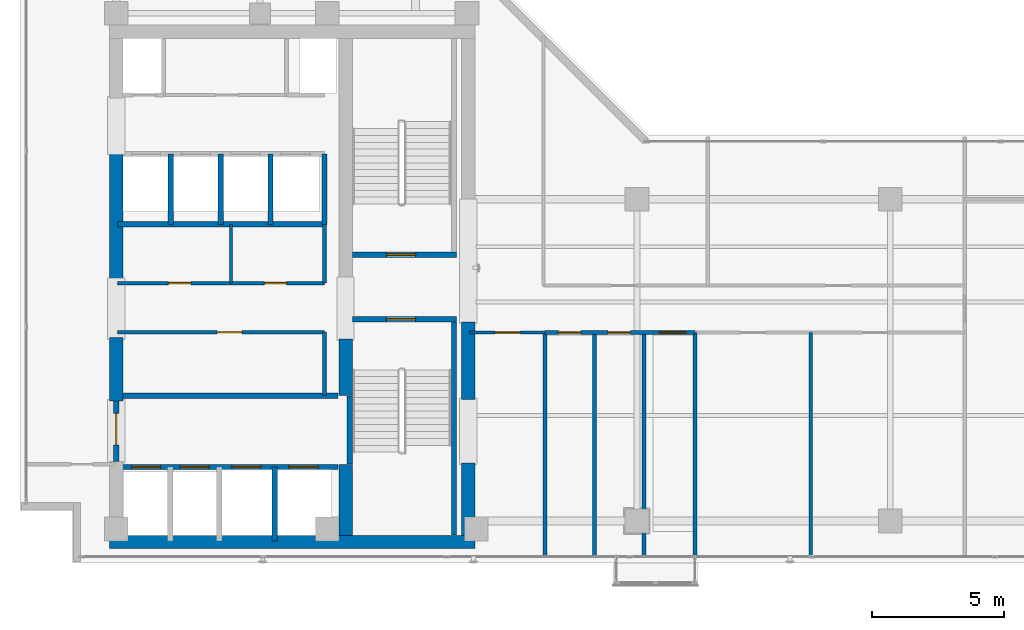
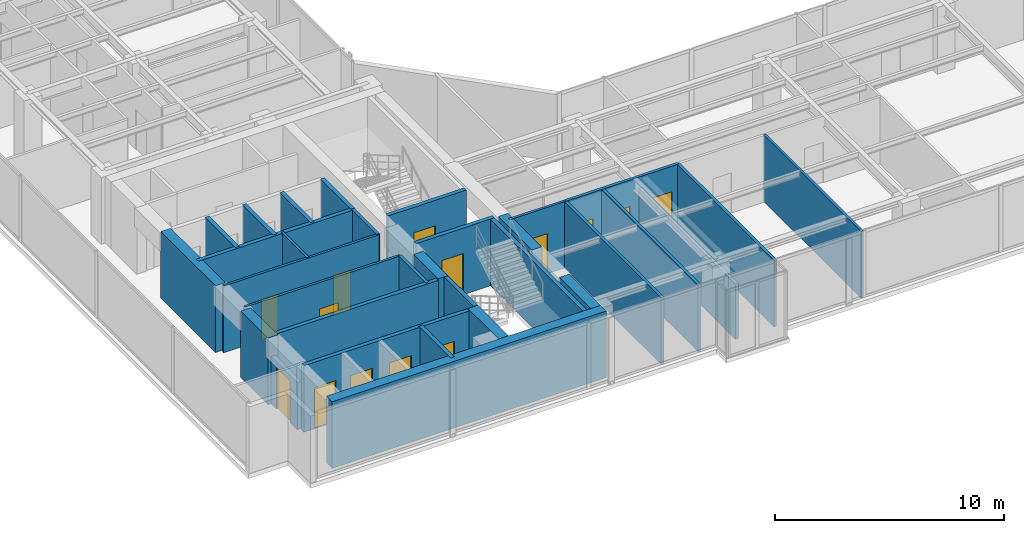
# One storey, part 17 of 22: 32 walls, 14 doors, 14 openings.
"""IFC4 building model written with IfcOpenShell, lengths in metres."""

from ifc_helpers import new_model, si_unit, direction, frame, frame_2d, origin, place, context, subcontext, project, spatial, rectangle, extrude, material, layer, layer_set, type_object, element, fill, save


model = new_model("IFC4")

# Units and contexts
model_context = context("Model", 3, precision=1e-05, world=origin(), true_north=direction((0.0, 1.0)))
body_context = subcontext(model_context, "Body", "Model", "MODEL_VIEW")
ifc_project = project(units=[si_unit("LENGTHUNIT", "METRE"), si_unit("AREAUNIT", "SQUARE_METRE"), si_unit("VOLUMEUNIT", "CUBIC_METRE"), si_unit("PLANEANGLEUNIT", "RADIAN"), si_unit("MASSUNIT", "GRAM", prefix="KILO")], contexts=[model_context])

# Site, building, storey
site_placement = place(None, origin())
site = spatial("IfcSite", under=ifc_project, at=site_placement, CompositionType="ELEMENT")
building_placement = place(site_placement, origin())
building = spatial("IfcBuilding", under=site, at=building_placement, Name="Kolvaren Waterfront Exchange", CompositionType="ELEMENT")
storey_placement = place(building_placement, frame((0.0, 0.0, 323.60009765625)))
storey = spatial("IfcBuildingStorey", under=building, at=storey_placement, Name="L83", CompositionType="ELEMENT", Elevation=323.60009765625)

# Wall, opening, door
ifc_material_1 = material(Name="Precast concrete C40/50", Category="concrete")
ifc_layer_1 = layer(ifc_material_1, 0.199951171875, Name="Precast concrete C40/50")
ifc_layer_set_1 = layer_set([ifc_layer_1], Name="Precast concrete C40/50")
wall_type_1 = type_object("IfcWallType", Name="ARC-FIRE-200", PredefinedType="PARTITIONING", material=ifc_layer_set_1)
wall_1_placement = place(storey_placement, frame((16.39990234375, 12.85009765625, 0.0), z_axis=(0.0, 0.0, 1.0), x_axis=(1.0, 0.0, 0.0)))
wall_1 = element("IfcWall", 1, at=wall_1_placement, inside=storey, type_object=wall_type_1, Name="L83 interior wall PW-L83-ST1-THROAT-S", PredefinedType="PARTITIONING", context=body_context, shape_type="SweptSolid", body=[
    extrude(rectangle(XDim=3.960205078125, YDim=0.199951171875, at=frame_2d((1.97998046875, 0.0))), origin(), (0.0, 0.0, 1.0), 3.559814453125),
])
opening_1_placement = place(wall_1_placement, frame((1.3037109375, 0.0, 0.0)))
opening_1 = element("IfcOpeningElement", 2, at=opening_1_placement, cuts=wall_1, Name="Opening FD2", PredefinedType="OPENING", context=body_context, shape_type="SweptSolid", body=[
    extrude(rectangle(XDim=1.10009765625, YDim=2.199951171875, at=frame_2d((0.550048828125, 1.10009765625))), frame((0.0, 0.10986328125, 0.0), z_axis=(0.0, -1.0, 0.0), x_axis=(1.0, 0.0, 0.0)), (0.0, 0.0, 1.0), 0.219970703125),
])
ifc_material_2 = material(Name="Pressed steel smoke-seal fire door", Category="steel")
door_type_1 = type_object("IfcDoorType", Name="ARC-FD-1100", OperationType="NOTDEFINED", PredefinedType="DOOR", material=ifc_material_2)
door_1_placement = place(opening_1_placement, frame((1.10009765625, 0.0, 0.0), z_axis=(0.0, 0.0, 1.0), x_axis=(-1.0, 0.0, 0.0)))
door_1 = element("IfcDoor", 3, at=door_1_placement, inside=storey, type_object=door_type_1, Name="L83 door DR-L83-ST1-IN (FD2)", OperationType="SINGLE_SWING_RIGHT", OverallHeight=2.199951171875, OverallWidth=1.10009765625, PredefinedType="DOOR", context=body_context, shape_type="SweptSolid", body=[
    extrude(rectangle(XDim=1.10009765625, YDim=2.199951171875, at=frame_2d((0.550048828125, 1.10009765625))), frame((0.0, 0.02490234375, 0.0), z_axis=(0.0, -1.0, 0.0), x_axis=(1.0, 0.0, 0.0)), (0.0, 0.0, 1.0), 0.050048828125),
])
fill(opening_1, door_1)

wall_2_placement = place(storey_placement, frame((16.409912109375, 15.300048828125, 0.0), z_axis=(0.0, 0.0, 1.0), x_axis=(1.0, 0.0, 0.0)))
wall_2 = element("IfcWall", 4, at=wall_2_placement, inside=storey, type_object=wall_type_1, Name="L83 interior wall PW-L83-ST2-THROAT-N", PredefinedType="PARTITIONING", context=body_context, shape_type="SweptSolid", body=[
    extrude(rectangle(XDim=3.9501953125, YDim=0.199951171875, at=frame_2d((1.97509765625, 0.0))), origin(), (0.0, 0.0, 1.0), 3.559814453125),
])
opening_2_placement = place(wall_2_placement, frame((1.293701171875, 0.0, 0.0)))
opening_2 = element("IfcOpeningElement", 5, at=opening_2_placement, cuts=wall_2, Name="Opening FD2", PredefinedType="OPENING", context=body_context, shape_type="SweptSolid", body=[
    extrude(rectangle(XDim=1.10009765625, YDim=2.199951171875, at=frame_2d((0.550048828125, 1.10009765625))), frame((0.0, 0.10986328125, 0.0), z_axis=(0.0, -1.0, 0.0), x_axis=(1.0, 0.0, 0.0)), (0.0, 0.0, 1.0), 0.219970703125),
])
door_2_placement = place(opening_2_placement, origin())
door_2 = element("IfcDoor", 6, at=door_2_placement, inside=storey, type_object=door_type_1, Name="L83 door DR-L83-ST2-IN (FD2)", OperationType="SINGLE_SWING_LEFT", OverallHeight=2.199951171875, OverallWidth=1.10009765625, PredefinedType="DOOR", context=body_context, shape_type="SweptSolid", body=[
    extrude(rectangle(XDim=1.10009765625, YDim=2.199951171875, at=frame_2d((0.550048828125, 1.10009765625))), frame((0.0, 0.02490234375, 0.0), z_axis=(0.0, -1.0, 0.0), x_axis=(1.0, 0.0, 0.0)), (0.0, 0.0, 1.0), 0.050048828125),
])
fill(opening_2, door_2)

# Wall
wall_3_placement = place(storey_placement, frame((7.5, 9.949951171875, 0.0), z_axis=(0.0, 0.0, 1.0), x_axis=(1.0, 0.0, 0.0)))
element("IfcWall", 7, at=wall_3_placement, inside=storey, type_object=wall_type_1, Name="L83 interior wall PW-L83-FF-N", PredefinedType="PARTITIONING", context=body_context, shape_type="SweptSolid", body=[
    extrude(rectangle(XDim=8.35009765625, YDim=0.199951171875, at=frame_2d((4.175048828125, 0.0))), origin(), (0.0, 0.0, 1.0), 3.559814453125),
])

# Wall, opening, door
wall_4_placement = place(storey_placement, frame((7.449951171875, 7.449951171875, 0.0), z_axis=(0.0, 0.0, 1.0), x_axis=(0.0, 1.0, 0.0)))
wall_4 = element("IfcWall", 8, at=wall_4_placement, inside=storey, type_object=wall_type_1, Name="L83 interior wall PW-L83-FF-W-DOOR", PredefinedType="PARTITIONING", context=body_context, shape_type="SweptSolid", body=[
    extrude(rectangle(XDim=2.300048828125, YDim=0.199951171875, at=frame_2d((1.14990234375, 0.0))), origin(), (0.0, 0.0, 1.0), 2.539794921875),
])
opening_3_placement = place(wall_4_placement, frame((0.63330078125, 0.0, 0.0)))
opening_3 = element("IfcOpeningElement", 9, at=opening_3_placement, cuts=wall_4, Name="Opening FD3", PredefinedType="OPENING", context=body_context, shape_type="SweptSolid", body=[
    extrude(rectangle(XDim=1.199951171875, YDim=2.25, at=frame_2d((0.60009765625, 1.125))), frame((0.0, 0.10986328125, 0.0), z_axis=(0.0, -1.0, 0.0), x_axis=(1.0, 0.0, 0.0)), (0.0, 0.0, 1.0), 0.219970703125),
])
ifc_material_3 = material(Name="Pressed steel fire door", Category="steel")
door_type_2 = type_object("IfcDoorType", Name="ARC-FD-1200", OperationType="NOTDEFINED", PredefinedType="DOOR", material=ifc_material_3)
door_3_placement = place(opening_3_placement, frame((1.199951171875, 0.0, 0.0), z_axis=(0.0, 0.0, 1.0), x_axis=(-1.0, 0.0, 0.0)))
door_3 = element("IfcDoor", 10, at=door_3_placement, inside=storey, type_object=door_type_2, Name="L83 door DR-L83-FF-OUT (FD3)", OperationType="SINGLE_SWING_RIGHT", OverallHeight=2.25, OverallWidth=1.199951171875, PredefinedType="DOOR", context=body_context, shape_type="SweptSolid", body=[
    extrude(rectangle(XDim=1.199951171875, YDim=2.25, at=frame_2d((0.60009765625, 1.125))), frame((0.0, 0.02490234375, 0.0), z_axis=(0.0, -1.0, 0.0), x_axis=(1.0, 0.0, 0.0)), (0.0, 0.0, 1.0), 0.050048828125),
])
fill(opening_3, door_3)

ifc_material_4 = material(Name="Acoustic gypsum steel stud", Category="steel")
ifc_layer_2 = layer(ifc_material_4, 0.125, Name="Acoustic gypsum steel stud")
ifc_layer_set_2 = layer_set([ifc_layer_2], Name="Acoustic gypsum steel stud")
wall_type_2 = type_object("IfcWallType", Name="ARC-PART-125", PredefinedType="PARTITIONING", material=ifc_layer_set_2)
wall_5_placement = place(storey_placement, frame((7.5, 12.360107421875, 0.0), z_axis=(0.0, 0.0, 1.0), x_axis=(1.0, 0.0, 0.0)))
wall_5 = element("IfcWall", 11, at=wall_5_placement, inside=storey, type_object=wall_type_2, Name="L83 interior wall PW-L83-REC-HI-S", PredefinedType="PARTITIONING", context=body_context, shape_type="SweptSolid", body=[
    extrude(rectangle(XDim=7.85009765625, YDim=0.125, at=frame_2d((3.925048828125, 0.0))), origin(), (0.0, 0.0, 1.0), 3.559814453125),
])
opening_4_placement = place(wall_5_placement, frame((3.77490234375, 0.0, 0.0)))
opening_4 = element("IfcOpeningElement", 12, at=opening_4_placement, cuts=wall_5, Name="Opening D02", PredefinedType="OPENING", context=body_context, shape_type="SweptSolid", body=[
    extrude(rectangle(XDim=0.949951171875, YDim=2.14990234375, at=frame_2d((0.47509765625, 1.074951171875))), frame((0.0, 0.072509765625, 0.0), z_axis=(0.0, -1.0, 0.0), x_axis=(1.0, 0.0, 0.0)), (0.0, 0.0, 1.0), 0.14501953125),
])
ifc_material_5 = material(Name="Oak veneer acoustic timber", Category="wood")
door_type_3 = type_object("IfcDoorType", Name="ARC-DR-950", OperationType="NOTDEFINED", PredefinedType="DOOR", material=ifc_material_5)
door_4_placement = place(opening_4_placement, origin())
door_4 = element("IfcDoor", 13, at=door_4_placement, inside=storey, type_object=door_type_3, Name="L83 door DR-L83-REC-HI-D1 (D02)", OperationType="SINGLE_SWING_LEFT", OverallHeight=2.14990234375, OverallWidth=0.949951171875, PredefinedType="DOOR", context=body_context, shape_type="SweptSolid", body=[
    extrude(rectangle(XDim=0.949951171875, YDim=2.14990234375, at=frame_2d((0.47509765625, 1.074951171875))), frame((0.0, 0.02490234375, 0.0), z_axis=(0.0, -1.0, 0.0), x_axis=(1.0, 0.0, 0.0)), (0.0, 0.0, 1.0), 0.050048828125),
])
fill(opening_4, door_4)

# Wall, openings, doors
wall_6_placement = place(storey_placement, frame((7.5, 14.219970703125, 0.0), z_axis=(0.0, 0.0, 1.0), x_axis=(1.0, 0.0, 0.0)))
wall_6 = element("IfcWall", 14, at=wall_6_placement, inside=storey, type_object=wall_type_2, Name="L83 interior wall PW-L83-REC-HI-N", PredefinedType="PARTITIONING", context=body_context, shape_type="SweptSolid", body=[
    extrude(rectangle(XDim=7.85009765625, YDim=0.125, at=frame_2d((3.925048828125, 0.0))), origin(), (0.0, 0.0, 1.0), 3.559814453125),
])
opening_5_placement = place(wall_6_placement, frame((1.925048828125, 0.0, 0.0)))
opening_5 = element("IfcOpeningElement", 15, at=opening_5_placement, cuts=wall_6, Name="Opening D01", PredefinedType="OPENING", context=body_context, shape_type="SweptSolid", body=[
    extrude(rectangle(XDim=0.85009765625, YDim=2.14990234375, at=frame_2d((0.425048828125, 1.074951171875))), frame((0.0, 0.072509765625, 0.0), z_axis=(0.0, -1.0, 0.0), x_axis=(1.0, 0.0, 0.0)), (0.0, 0.0, 1.0), 0.14501953125),
])
opening_6_placement = place(wall_6_placement, frame((5.56298828125, 0.0, 0.0)))
opening_6 = element("IfcOpeningElement", 16, at=opening_6_placement, cuts=wall_6, Name="Opening D01", PredefinedType="OPENING", context=body_context, shape_type="SweptSolid", body=[
    extrude(rectangle(XDim=0.85009765625, YDim=2.14990234375, at=frame_2d((0.425048828125, 1.074951171875))), frame((0.0, 0.072509765625, 0.0), z_axis=(0.0, -1.0, 0.0), x_axis=(1.0, 0.0, 0.0)), (0.0, 0.0, 1.0), 0.14501953125),
])
ifc_material_6 = material(Name="Oak veneer timber leaf", Category="wood")
door_type_4 = type_object("IfcDoorType", Name="ARC-DR-900", OperationType="NOTDEFINED", PredefinedType="DOOR", material=ifc_material_6)
door_5_placement = place(opening_5_placement, origin())
door_5 = element("IfcDoor", 17, at=door_5_placement, inside=storey, type_object=door_type_4, Name="L83 door DR-L83-REC-HI-D2 (D01)", OperationType="SINGLE_SWING_RIGHT", OverallHeight=2.14990234375, OverallWidth=0.85009765625, PredefinedType="DOOR", context=body_context, shape_type="SweptSolid", body=[
    extrude(rectangle(XDim=0.85009765625, YDim=2.14990234375, at=frame_2d((0.425048828125, 1.074951171875))), frame((0.0, 0.02490234375, 0.0), z_axis=(0.0, -1.0, 0.0), x_axis=(1.0, 0.0, 0.0)), (0.0, 0.0, 1.0), 0.050048828125),
])
fill(opening_5, door_5)
door_6_placement = place(opening_6_placement, origin())
door_6 = element("IfcDoor", 18, at=door_6_placement, inside=storey, type_object=door_type_4, Name="L83 door DR-L83-REC-HI-D3 (D01)", OperationType="SINGLE_SWING_LEFT", OverallHeight=2.14990234375, OverallWidth=0.85009765625, PredefinedType="DOOR", context=body_context, shape_type="SweptSolid", body=[
    extrude(rectangle(XDim=0.85009765625, YDim=2.14990234375, at=frame_2d((0.425048828125, 1.074951171875))), frame((0.0, 0.02490234375, 0.0), z_axis=(0.0, -1.0, 0.0), x_axis=(1.0, 0.0, 0.0)), (0.0, 0.0, 1.0), 0.050048828125),
])
fill(opening_6, door_6)

# Wall
wall_7_placement = place(storey_placement, frame((11.800048828125, 14.219970703125, 0.0), z_axis=(0.0, 0.0, 1.0), x_axis=(0.0, 1.0, 0.0)))
element("IfcWall", 19, at=wall_7_placement, inside=storey, type_object=wall_type_2, Name="L83 interior wall PW-L83-REC-HI-MN2", PredefinedType="PARTITIONING", context=body_context, shape_type="SweptSolid", body=[
    extrude(rectangle(XDim=2.22998046875, YDim=0.125, at=frame_2d((1.114990234375, 0.0))), origin(), (0.0, 0.0, 1.0), 3.559814453125),
])

# Wall, opening, door
wall_8_placement = place(storey_placement, frame((20.85009765625, 12.35009765625, 0.0), z_axis=(0.0, 0.0, 1.0), x_axis=(1.0, 0.0, 0.0)))
wall_8 = element("IfcWall", 20, at=wall_8_placement, inside=storey, type_object=wall_type_2, Name="L83 interior wall PW-L83-SWST3-N", PredefinedType="PARTITIONING", context=body_context, shape_type="SweptSolid", body=[
    extrude(rectangle(XDim=2.849853515625, YDim=0.125, at=frame_2d((1.4248046875, 0.0))), origin(), (0.0, 0.0, 1.0), 3.559814453125),
])
opening_7_placement = place(wall_8_placement, frame((0.971435546875, 0.0, 0.0)))
opening_7 = element("IfcOpeningElement", 21, at=opening_7_placement, cuts=wall_8, Name="Opening D02", PredefinedType="OPENING", context=body_context, shape_type="SweptSolid", body=[
    extrude(rectangle(XDim=0.949951171875, YDim=2.14990234375, at=frame_2d((0.47509765625, 1.074951171875))), frame((0.0, 0.072509765625, 0.0), z_axis=(0.0, -1.0, 0.0), x_axis=(1.0, 0.0, 0.0)), (0.0, 0.0, 1.0), 0.14501953125),
])
door_7_placement = place(opening_7_placement, origin())
door_7 = element("IfcDoor", 22, at=door_7_placement, inside=storey, type_object=door_type_3, Name="L83 door DR-L83-SWST3-D (D02)", OperationType="SINGLE_SWING_RIGHT", OverallHeight=2.14990234375, OverallWidth=0.949951171875, PredefinedType="DOOR", context=body_context, shape_type="SweptSolid", body=[
    extrude(rectangle(XDim=0.949951171875, YDim=2.14990234375, at=frame_2d((0.47509765625, 1.074951171875))), frame((0.0, 0.02490234375, 0.0), z_axis=(0.0, -1.0, 0.0), x_axis=(1.0, 0.0, 0.0)), (0.0, 0.0, 1.0), 0.050048828125),
])
fill(opening_7, door_7)

# Walls
wall_9_placement = place(storey_placement, frame((33.7900390625, 3.840087890625, 0.0), z_axis=(0.0, 0.0, 1.0), x_axis=(0.0, 1.0, 0.0)))
element("IfcWall", 23, at=wall_9_placement, inside=storey, type_object=wall_type_2, Name="L83 interior wall PW-L83-ES-DIV-1", PredefinedType="PARTITIONING", context=body_context, shape_type="SweptSolid", body=[
    extrude(rectangle(XDim=8.510009765625, YDim=0.125, at=frame_2d((4.2548828125, 0.0))), origin(), (0.0, 0.0, 1.0), 3.559814453125),
])
ifc_material_7 = material(Name="Gypsum fireboard steel stud", Category="steel")
ifc_layer_3 = layer(ifc_material_7, 0.14990234375, Name="Gypsum fireboard steel stud")
ifc_layer_set_3 = layer_set([ifc_layer_3], Name="Gypsum fireboard steel stud")
wall_type_3 = type_object("IfcWallType", Name="ARC-PART-150", PredefinedType="PARTITIONING", material=ifc_layer_set_3)
wall_10_placement = place(storey_placement, frame((15.35009765625, 9.949951171875, 0.0), z_axis=(0.0, 0.0, 1.0), x_axis=(0.0, 1.0, 0.0)))
element("IfcWall", 24, at=wall_10_placement, inside=storey, type_object=wall_type_3, Name="L83 interior wall PW-L83-REC-HI-E1", PredefinedType="PARTITIONING", context=body_context, shape_type="SweptSolid", body=[
    extrude(rectangle(XDim=2.41015625, YDim=0.14990234375, at=frame_2d((1.205078125, 0.0))), origin(), (0.0, 0.0, 1.0), 3.559814453125),
])
wall_11_placement = place(storey_placement, frame((15.35009765625, 14.219970703125, 0.0), z_axis=(0.0, 0.0, 1.0), x_axis=(0.0, 1.0, 0.0)))
element("IfcWall", 25, at=wall_11_placement, inside=storey, type_object=wall_type_3, Name="L83 interior wall PW-L83-REC-HI-E2", PredefinedType="PARTITIONING", context=body_context, shape_type="SweptSolid", body=[
    extrude(rectangle(XDim=2.22998046875, YDim=0.14990234375, at=frame_2d((1.114990234375, 0.0))), origin(), (0.0, 0.0, 1.0), 3.559814453125),
])
ifc_material_8 = material(Name="Moisture-resistant gypsum stud")
ifc_layer_4 = layer(ifc_material_8, 0.14990234375, Name="Moisture-resistant gypsum stud")
ifc_layer_set_4 = layer_set([ifc_layer_4], Name="Moisture-resistant gypsum stud")
wall_type_4 = type_object("IfcWallType", Name="ARC-PLUMB-150", PredefinedType="PLUMBINGWALL", material=ifc_layer_set_4)
wall_12_placement = place(storey_placement, frame((23.699951171875, 3.840087890625, 0.0), z_axis=(0.0, 0.0, 1.0), x_axis=(0.0, 1.0, 0.0)))
element("IfcWall", 26, at=wall_12_placement, inside=storey, type_object=wall_type_4, Name="L83 interior wall PW-L83-WC-0", PredefinedType="PLUMBINGWALL", context=body_context, shape_type="SweptSolid", body=[
    extrude(rectangle(XDim=8.510009765625, YDim=0.14990234375, at=frame_2d((4.2548828125, 0.0))), origin(), (0.0, 0.0, 1.0), 3.559814453125),
])

# Wall, openings, doors
wall_13_placement = place(storey_placement, frame((23.699951171875, 12.35009765625, 0.0), z_axis=(0.0, 0.0, 1.0), x_axis=(1.0, 0.0, 0.0)))
wall_13 = element("IfcWall", 27, at=wall_13_placement, inside=storey, type_object=wall_type_4, Name="L83 interior wall PW-L83-WC-N", PredefinedType="PLUMBINGWALL", context=body_context, shape_type="SweptSolid", body=[
    extrude(rectangle(XDim=5.699951171875, YDim=0.14990234375, at=frame_2d((2.85009765625, 0.0))), origin(), (0.0, 0.0, 1.0), 3.559814453125),
])
opening_8_placement = place(wall_13_placement, frame((0.514892578125, 0.0, 0.0)))
opening_8 = element("IfcOpeningElement", 28, at=opening_8_placement, cuts=wall_13, Name="Opening D01", PredefinedType="OPENING", context=body_context, shape_type="SweptSolid", body=[
    extrude(rectangle(XDim=0.85009765625, YDim=2.14990234375, at=frame_2d((0.425048828125, 1.074951171875))), frame((0.0, 0.0849609375, 0.0), z_axis=(0.0, -1.0, 0.0), x_axis=(1.0, 0.0, 0.0)), (0.0, 0.0, 1.0), 0.169921875),
])
opening_9_placement = place(wall_13_placement, frame((2.39501953125, 0.0, 0.0)))
opening_9 = element("IfcOpeningElement", 29, at=opening_9_placement, cuts=wall_13, Name="Opening D01", PredefinedType="OPENING", context=body_context, shape_type="SweptSolid", body=[
    extrude(rectangle(XDim=0.85009765625, YDim=2.14990234375, at=frame_2d((0.425048828125, 1.074951171875))), frame((0.0, 0.0849609375, 0.0), z_axis=(0.0, -1.0, 0.0), x_axis=(1.0, 0.0, 0.0)), (0.0, 0.0, 1.0), 0.169921875),
])
opening_10_placement = place(wall_13_placement, frame((4.35009765625, 0.0, 0.0)))
opening_10 = element("IfcOpeningElement", 30, at=opening_10_placement, cuts=wall_13, Name="Opening D03", PredefinedType="OPENING", context=body_context, shape_type="SweptSolid", body=[
    extrude(rectangle(XDim=1.0, YDim=2.199951171875, at=frame_2d((0.5, 1.10009765625))), frame((0.0, 0.0849609375, 0.0), z_axis=(0.0, -1.0, 0.0), x_axis=(1.0, 0.0, 0.0)), (0.0, 0.0, 1.0), 0.169921875),
])
ifc_material_9 = material(Name="Oak veneer accessible timber", Category="wood")
door_type_5 = type_object("IfcDoorType", Name="ARC-DR-1000", OperationType="NOTDEFINED", PredefinedType="DOOR", material=ifc_material_9)
door_8_placement = place(opening_10_placement, origin())
door_8 = element("IfcDoor", 31, at=door_8_placement, inside=storey, type_object=door_type_5, Name="L83 door DR-L83-WCA-D (D03)", OperationType="SINGLE_SWING_RIGHT", OverallHeight=2.199951171875, OverallWidth=1.0, PredefinedType="DOOR", context=body_context, shape_type="SweptSolid", body=[
    extrude(rectangle(XDim=1.0, YDim=2.199951171875, at=frame_2d((0.5, 1.10009765625))), frame((0.0, 0.02490234375, 0.0), z_axis=(0.0, -1.0, 0.0), x_axis=(1.0, 0.0, 0.0)), (0.0, 0.0, 1.0), 0.050048828125),
])
fill(opening_10, door_8)
door_9_placement = place(opening_8_placement, origin())
door_9 = element("IfcDoor", 32, at=door_9_placement, inside=storey, type_object=door_type_4, Name="L83 door DR-L83-WCM-D (D01)", OperationType="SINGLE_SWING_RIGHT", OverallHeight=2.14990234375, OverallWidth=0.85009765625, PredefinedType="DOOR", context=body_context, shape_type="SweptSolid", body=[
    extrude(rectangle(XDim=0.85009765625, YDim=2.14990234375, at=frame_2d((0.425048828125, 1.074951171875))), frame((0.0, 0.02490234375, 0.0), z_axis=(0.0, -1.0, 0.0), x_axis=(1.0, 0.0, 0.0)), (0.0, 0.0, 1.0), 0.050048828125),
])
fill(opening_8, door_9)
door_10_placement = place(opening_9_placement, origin())
door_10 = element("IfcDoor", 33, at=door_10_placement, inside=storey, type_object=door_type_4, Name="L83 door DR-L83-WCF-D (D01)", OperationType="SINGLE_SWING_LEFT", OverallHeight=2.14990234375, OverallWidth=0.85009765625, PredefinedType="DOOR", context=body_context, shape_type="SweptSolid", body=[
    extrude(rectangle(XDim=0.85009765625, YDim=2.14990234375, at=frame_2d((0.425048828125, 1.074951171875))), frame((0.0, 0.02490234375, 0.0), z_axis=(0.0, -1.0, 0.0), x_axis=(1.0, 0.0, 0.0)), (0.0, 0.0, 1.0), 0.050048828125),
])
fill(opening_9, door_10)

# Walls
wall_14_placement = place(storey_placement, frame((25.580078125, 3.840087890625, 0.0), z_axis=(0.0, 0.0, 1.0), x_axis=(0.0, 1.0, 0.0)))
element("IfcWall", 34, at=wall_14_placement, inside=storey, type_object=wall_type_4, Name="L83 interior wall PW-L83-WC-1", PredefinedType="PLUMBINGWALL", context=body_context, shape_type="SweptSolid", body=[
    extrude(rectangle(XDim=8.510009765625, YDim=0.14990234375, at=frame_2d((4.2548828125, 0.0))), origin(), (0.0, 0.0, 1.0), 3.559814453125),
])
wall_15_placement = place(storey_placement, frame((27.4599609375, 3.840087890625, 0.0), z_axis=(0.0, 0.0, 1.0), x_axis=(0.0, 1.0, 0.0)))
element("IfcWall", 35, at=wall_15_placement, inside=storey, type_object=wall_type_4, Name="L83 interior wall PW-L83-WC-2", PredefinedType="PLUMBINGWALL", context=body_context, shape_type="SweptSolid", body=[
    extrude(rectangle(XDim=8.510009765625, YDim=0.14990234375, at=frame_2d((4.2548828125, 0.0))), origin(), (0.0, 0.0, 1.0), 2.9599609375),
])
wall_16_placement = place(storey_placement, frame((29.39990234375, 3.840087890625, 0.0), z_axis=(0.0, 0.0, 1.0), x_axis=(0.0, 1.0, 0.0)))
element("IfcWall", 36, at=wall_16_placement, inside=storey, type_object=wall_type_4, Name="L83 interior wall PW-L83-WC-3", PredefinedType="PLUMBINGWALL", context=body_context, shape_type="SweptSolid", body=[
    extrude(rectangle(XDim=8.510009765625, YDim=0.14990234375, at=frame_2d((4.2548828125, 0.0))), origin(), (0.0, 0.0, 1.0), 3.559814453125),
])
ifc_material_10 = material(Name="Concrete C40/50", Category="concrete")
ifc_layer_5 = layer(ifc_material_10, 0.199951171875, Name="Concrete C40/50")
ifc_layer_set_5 = layer_set([ifc_layer_5], Name="Concrete C40/50")
wall_type_5 = type_object("IfcWallType", Name="ARC-SHAFT-200", PredefinedType="PARTITIONING", material=ifc_layer_set_5)
wall_17_placement = place(storey_placement, frame((16.300048828125, 7.360107421875, 0.0), z_axis=(0.0, 0.0, 1.0), x_axis=(0.0, 1.0, 0.0)))
element("IfcWall", 37, at=wall_17_placement, inside=storey, type_object=wall_type_5, Name="L83 structural stairwell wall PW-L83-ST1-W", PredefinedType="SHEAR", context=body_context, shape_type="SweptSolid", body=[
    extrude(rectangle(XDim=2.579833984375, YDim=0.199951171875, at=frame_2d((1.2900390625, 0.0))), origin(), (0.0, 0.0, 1.0), 3.559814453125),
])
wall_18_placement = place(storey_placement, frame((20.260009765625, 4.659912109375, 0.0), z_axis=(0.0, 0.0, 1.0), x_axis=(0.0, 1.0, 0.0)))
element("IfcWall", 38, at=wall_18_placement, inside=storey, type_object=wall_type_5, Name="L83 structural stairwell wall PW-L83-ST1-E", PredefinedType="SHEAR", context=body_context, shape_type="SweptSolid", body=[
    extrude(rectangle(XDim=8.090087890625, YDim=0.199951171875, at=frame_2d((4.044921875, 0.0))), origin(), (0.0, 0.0, 1.0), 3.559814453125),
])

# Wall, openings, doors
wall_19_placement = place(storey_placement, frame((7.5, 7.25, 0.0), z_axis=(0.0, 0.0, 1.0), x_axis=(1.0, 0.0, 0.0)))
wall_19 = element("IfcWall", 39, at=wall_19_placement, inside=storey, type_object=wall_type_5, Name="L83 interior wall PW-L83-FF-S", PredefinedType="PARTITIONING", context=body_context, shape_type="SweptSolid", body=[
    extrude(rectangle(XDim=8.35009765625, YDim=0.199951171875, at=frame_2d((4.175048828125, 0.0))), origin(), (0.0, 0.0, 1.0), 3.559814453125),
])
opening_11_placement = place(wall_19_placement, frame((0.530029296875, 0.0, 0.0)))
opening_11 = element("IfcOpeningElement", 40, at=opening_11_placement, cuts=wall_19, Name="Opening LD1", PredefinedType="OPENING", context=body_context, shape_type="SweptSolid", body=[
    extrude(rectangle(XDim=1.10009765625, YDim=2.199951171875, at=frame_2d((0.550048828125, 1.10009765625))), frame((0.0, 0.10986328125, 0.0), z_axis=(0.0, -1.0, 0.0), x_axis=(1.0, 0.0, 0.0)), (0.0, 0.0, 1.0), 0.219970703125),
])
opening_12_placement = place(wall_19_placement, frame((2.3701171875, 0.0, 0.0)))
opening_12 = element("IfcOpeningElement", 41, at=opening_12_placement, cuts=wall_19, Name="Opening LD1", PredefinedType="OPENING", context=body_context, shape_type="SweptSolid", body=[
    extrude(rectangle(XDim=1.10009765625, YDim=2.199951171875, at=frame_2d((0.550048828125, 1.10009765625))), frame((0.0, 0.10986328125, 0.0), z_axis=(0.0, -1.0, 0.0), x_axis=(1.0, 0.0, 0.0)), (0.0, 0.0, 1.0), 0.219970703125),
])
opening_13_placement = place(wall_19_placement, frame((4.330078125, 0.0, 0.0)))
opening_13 = element("IfcOpeningElement", 42, at=opening_13_placement, cuts=wall_19, Name="Opening LD1", PredefinedType="OPENING", context=body_context, shape_type="SweptSolid", body=[
    extrude(rectangle(XDim=1.10009765625, YDim=2.199951171875, at=frame_2d((0.550048828125, 1.10009765625))), frame((0.0, 0.10986328125, 0.0), z_axis=(0.0, -1.0, 0.0), x_axis=(1.0, 0.0, 0.0)), (0.0, 0.0, 1.0), 0.219970703125),
])
opening_14_placement = place(wall_19_placement, frame((6.5, 0.0, 0.0)))
opening_14 = element("IfcOpeningElement", 43, at=opening_14_placement, cuts=wall_19, Name="Opening LD1", PredefinedType="OPENING", context=body_context, shape_type="SweptSolid", body=[
    extrude(rectangle(XDim=1.10009765625, YDim=2.199951171875, at=frame_2d((0.550048828125, 1.10009765625))), frame((0.0, 0.10986328125, 0.0), z_axis=(0.0, -1.0, 0.0), x_axis=(1.0, 0.0, 0.0)), (0.0, 0.0, 1.0), 0.219970703125),
])
ifc_material_11 = material(Name="Stainless steel sliding landing door", Category="steel")
door_type_6 = type_object("IfcDoorType", Name="ARC-LD-FF", OperationType="SLIDING_TO_LEFT", PredefinedType="DOOR", material=ifc_material_11)
door_11_placement = place(opening_11_placement, origin())
door_11 = element("IfcDoor", 44, at=door_11_placement, inside=storey, type_object=door_type_6, Name="L83 door LD-L83-FFL1 (LD1)", OperationType="SLIDING_TO_LEFT", OverallHeight=2.199951171875, OverallWidth=1.10009765625, PredefinedType="DOOR", context=body_context, shape_type="SweptSolid", body=[
    extrude(rectangle(XDim=1.10009765625, YDim=2.199951171875, at=frame_2d((0.550048828125, 1.10009765625))), frame((0.0, 0.02490234375, 0.0), z_axis=(0.0, -1.0, 0.0), x_axis=(1.0, 0.0, 0.0)), (0.0, 0.0, 1.0), 0.050048828125),
])
fill(opening_11, door_11)
door_12_placement = place(opening_12_placement, origin())
door_12 = element("IfcDoor", 45, at=door_12_placement, inside=storey, type_object=door_type_6, Name="L83 door LD-L83-FFL2 (LD1)", OperationType="SLIDING_TO_LEFT", OverallHeight=2.199951171875, OverallWidth=1.10009765625, PredefinedType="DOOR", context=body_context, shape_type="SweptSolid", body=[
    extrude(rectangle(XDim=1.10009765625, YDim=2.199951171875, at=frame_2d((0.550048828125, 1.10009765625))), frame((0.0, 0.02490234375, 0.0), z_axis=(0.0, -1.0, 0.0), x_axis=(1.0, 0.0, 0.0)), (0.0, 0.0, 1.0), 0.050048828125),
])
fill(opening_12, door_12)
door_13_placement = place(opening_13_placement, origin())
door_13 = element("IfcDoor", 46, at=door_13_placement, inside=storey, type_object=door_type_6, Name="L83 door LD-L83-GL1 (LD1)", OperationType="SLIDING_TO_LEFT", OverallHeight=2.199951171875, OverallWidth=1.10009765625, PredefinedType="DOOR", context=body_context, shape_type="SweptSolid", body=[
    extrude(rectangle(XDim=1.10009765625, YDim=2.199951171875, at=frame_2d((0.550048828125, 1.10009765625))), frame((0.0, 0.02490234375, 0.0), z_axis=(0.0, -1.0, 0.0), x_axis=(1.0, 0.0, 0.0)), (0.0, 0.0, 1.0), 0.050048828125),
])
fill(opening_13, door_13)
door_14_placement = place(opening_14_placement, origin())
door_14 = element("IfcDoor", 47, at=door_14_placement, inside=storey, type_object=door_type_6, Name="L83 door LD-L83-GL2 (LD1)", OperationType="SLIDING_TO_LEFT", OverallHeight=2.199951171875, OverallWidth=1.10009765625, PredefinedType="DOOR", context=body_context, shape_type="SweptSolid", body=[
    extrude(rectangle(XDim=1.10009765625, YDim=2.199951171875, at=frame_2d((0.550048828125, 1.10009765625))), frame((0.0, 0.02490234375, 0.0), z_axis=(0.0, -1.0, 0.0), x_axis=(1.0, 0.0, 0.0)), (0.0, 0.0, 1.0), 0.050048828125),
])
fill(opening_14, door_14)

# Walls
wall_20_placement = place(storey_placement, frame((13.4599609375, 4.449951171875, 0.0), z_axis=(0.0, 0.0, 1.0), x_axis=(0.0, 1.0, 0.0)))
element("IfcWall", 48, at=wall_20_placement, inside=storey, type_object=wall_type_5, Name="L83 interior wall PW-L83-SH1-DIV-134", PredefinedType="PARTITIONING", context=body_context, shape_type="SweptSolid", body=[
    extrude(rectangle(XDim=2.800048828125, YDim=0.199951171875, at=frame_2d((1.39990234375, 0.0))), origin(), (0.0, 0.0, 1.0), 3.559814453125),
])
wall_21_placement = place(storey_placement, frame((7.5, 16.449951171875, 0.0), z_axis=(0.0, 0.0, 1.0), x_axis=(1.0, 0.0, 0.0)))
element("IfcWall", 49, at=wall_21_placement, inside=storey, type_object=wall_type_5, Name="L83 interior wall PW-L83-REC-PM-N", PredefinedType="PARTITIONING", context=body_context, shape_type="SweptSolid", body=[
    extrude(rectangle(XDim=7.85009765625, YDim=0.199951171875, at=frame_2d((3.925048828125, 0.0))), origin(), (0.0, 0.0, 1.0), 3.559814453125),
])
for number, where, z_axis, x_axis, name in (
    (50, (15.35009765625, 16.449951171875, 0.0), (0.0, 0.0, 1.0), (0.0, 1.0, 0.0), "L83 interior wall PW-L83-PH-E"),
    (51, (9.52001953125, 16.449951171875, 0.0), (0.0, 0.0, 1.0), (0.0, 1.0, 0.0), "L83 interior wall PW-L83-SH4-DIV-95"),
    (52, (11.409912109375, 16.449951171875, 0.0), (0.0, 0.0, 1.0), (0.0, 1.0, 0.0), "L83 interior wall PW-L83-SH4-DIV-114"),
    (53, (13.300048828125, 16.449951171875, 0.0), (0.0, 0.0, 1.0), (0.0, 1.0, 0.0), "L83 interior wall PW-L83-SH4-DIV-133"),
):
    element("IfcWall", number, at=place(storey_placement, frame(where, z_axis=z_axis, x_axis=x_axis)), inside=storey, type_object=wall_type_5, Name=name, PredefinedType="PARTITIONING", context=body_context, shape_type="SweptSolid", body=[
        extrude(rectangle(XDim=2.670166015625, YDim=0.199951171875, at=frame_2d((1.3349609375, 0.0))), origin(), (0.0, 0.0, 1.0), 3.559814453125),
    ])
ifc_material_12 = material(Name="Concrete C50/60", Category="concrete")
ifc_layer_6 = layer(ifc_material_12, 0.5, Name="Concrete C50/60")
ifc_layer_set_6 = layer_set([ifc_layer_6], Name="Concrete C50/60")
wall_type_6 = type_object("IfcWallType", Name="STR-CWALL-500", PredefinedType="SHEAR", material=ifc_layer_set_6)
wall_22_placement = place(storey_placement, frame((7.199951171875, 4.39990234375, 0.0), z_axis=(0.0, 0.0, 1.0), x_axis=(1.0, 0.0, 0.0)))
element("IfcWall", 54, at=wall_22_placement, inside=storey, type_object=wall_type_6, Name="L83 rear-core shear wall S", PredefinedType="SHEAR", context=body_context, shape_type="SweptSolid", body=[
    extrude(rectangle(XDim=13.85009765625, YDim=0.5, at=frame_2d((6.925048828125, 0.0))), origin(), (0.0, 0.0, 1.0), 3.559814453125),
])
wall_23_placement = place(storey_placement, frame((7.449951171875, 9.75, 0.0), z_axis=(0.0, 0.0, 1.0), x_axis=(0.0, 1.0, 0.0)))
element("IfcWall", 55, at=wall_23_placement, inside=storey, type_object=wall_type_6, Name="L83 rear-core shear wall W2A", PredefinedType="SHEAR", context=body_context, shape_type="SweptSolid", body=[
    extrude(rectangle(XDim=2.39990234375, YDim=0.5, at=frame_2d((1.199951171875, 0.0))), origin(), (0.0, 0.0, 1.0), 3.559814453125),
])
wall_24_placement = place(storey_placement, frame((7.449951171875, 14.35009765625, 0.0), z_axis=(0.0, 0.0, 1.0), x_axis=(0.0, 1.0, 0.0)))
element("IfcWall", 56, at=wall_24_placement, inside=storey, type_object=wall_type_6, Name="L83 rear-core shear wall W2B", PredefinedType="SHEAR", context=body_context, shape_type="SweptSolid", body=[
    extrude(rectangle(XDim=4.809814453125, YDim=0.5, at=frame_2d((2.40478515625, 0.0))), origin(), (0.0, 0.0, 1.0), 3.559814453125),
])
wall_25_placement = place(storey_placement, frame((20.800048828125, 4.64990234375, 0.0), z_axis=(0.0, 0.0, 1.0), x_axis=(0.0, 1.0, 0.0)))
element("IfcWall", 57, at=wall_25_placement, inside=storey, type_object=wall_type_6, Name="L83 rear-core shear wall E1", PredefinedType="SHEAR", context=body_context, shape_type="SweptSolid", body=[
    extrude(rectangle(XDim=2.75, YDim=0.5, at=frame_2d((1.375, 0.0))), origin(), (0.0, 0.0, 1.0), 3.559814453125),
])
wall_26_placement = place(storey_placement, frame((20.800048828125, 9.800048828125, 0.0), z_axis=(0.0, 0.0, 1.0), x_axis=(0.0, 1.0, 0.0)))
element("IfcWall", 58, at=wall_26_placement, inside=storey, type_object=wall_type_6, Name="L83 rear-core shear wall E2", PredefinedType="SHEAR", context=body_context, shape_type="SweptSolid", body=[
    extrude(rectangle(XDim=2.949951171875, YDim=0.5, at=frame_2d((1.47509765625, 0.0))), origin(), (0.0, 0.0, 1.0), 3.559814453125),
])
wall_27_placement = place(storey_placement, frame((16.14990234375, 4.64990234375, 0.0), z_axis=(0.0, 0.0, 1.0), x_axis=(0.0, 1.0, 0.0)))
element("IfcWall", 59, at=wall_27_placement, inside=storey, type_object=wall_type_6, Name="L83 rear-core shear wall M1", PredefinedType="SHEAR", context=body_context, shape_type="SweptSolid", body=[
    extrude(rectangle(XDim=2.7001953125, YDim=0.5, at=frame_2d((1.35009765625, 0.0))), origin(), (0.0, 0.0, 1.0), 3.559814453125),
])
wall_28_placement = place(storey_placement, frame((16.14990234375, 9.949951171875, 0.0), z_axis=(0.0, 0.0, 1.0), x_axis=(0.0, 1.0, 0.0)))
element("IfcWall", 60, at=wall_28_placement, inside=storey, type_object=wall_type_6, Name="L83 rear-core shear wall M2", PredefinedType="SHEAR", context=body_context, shape_type="SweptSolid", body=[
    extrude(rectangle(XDim=2.150146484375, YDim=0.5, at=frame_2d((1.0751953125, 0.0))), origin(), (0.0, 0.0, 1.0), 3.559814453125),
])

save(model, "model.ifc")
